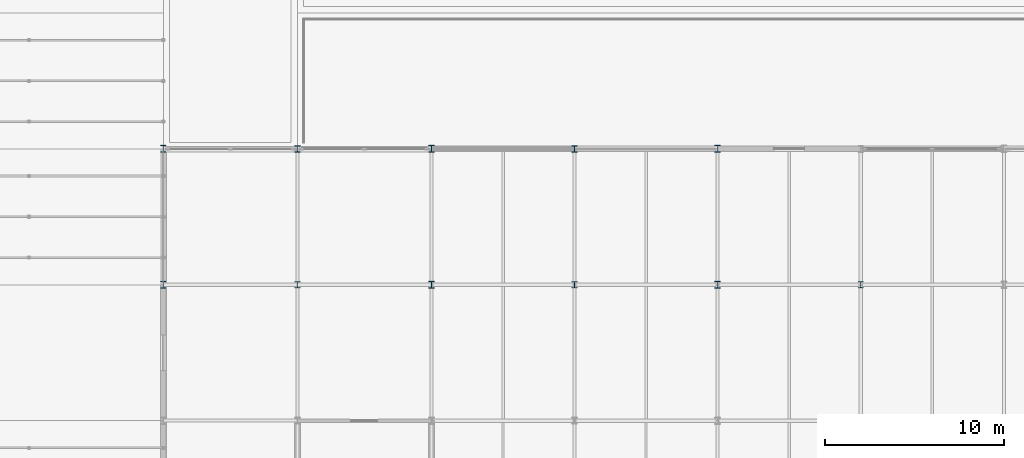
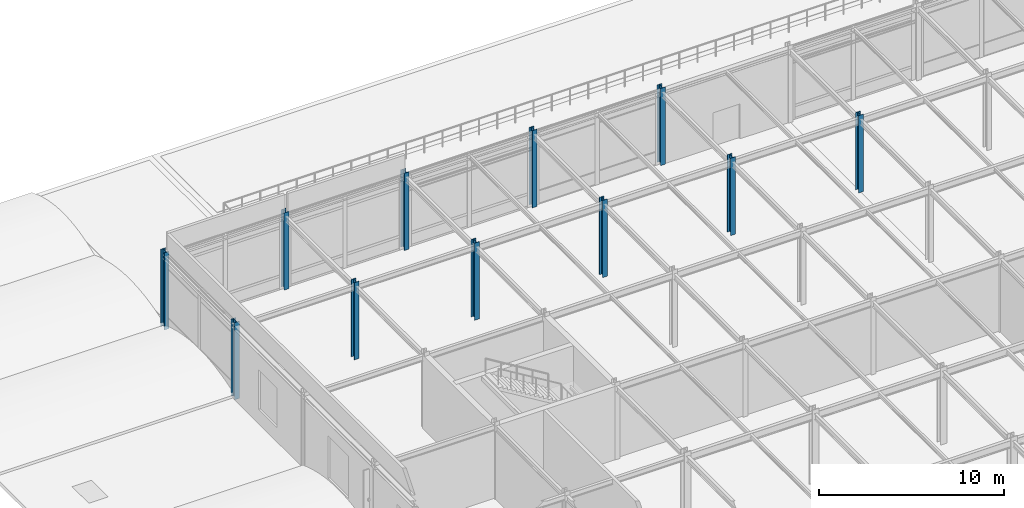
# One storey, part 9 of 79: 11 columns.
"""IFC4 building model written with IfcOpenShell, lengths in metres."""

from ifc_helpers import new_model, si_unit, direction, frame, origin, origin_2d, place, context, subcontext, project, spatial, i_section, extrude, material, material_profile, profile_set, type_object, element, save


model = new_model("IFC4")

# Units and contexts
model_context = context("Model", 3, precision=1e-05, world=origin(), true_north=direction((0.0, 1.0)))
body_context = subcontext(model_context, "Body", "Model", "MODEL_VIEW")
ifc_project = project(units=[si_unit("LENGTHUNIT", "METRE"), si_unit("AREAUNIT", "SQUARE_METRE"), si_unit("VOLUMEUNIT", "CUBIC_METRE"), si_unit("PLANEANGLEUNIT", "RADIAN"), si_unit("MASSUNIT", "GRAM", prefix="KILO")], contexts=[model_context])

# Site, building, storey
site_placement = place(None, origin())
site = spatial("IfcSite", under=ifc_project, at=site_placement, CompositionType="ELEMENT")
building_placement = place(site_placement, origin())
building = spatial("IfcBuilding", under=site, at=building_placement, Name="Shalkamar Park Central Library", CompositionType="ELEMENT")
storey_placement = place(building_placement, frame((0.0, 0.0, 10.5)))
storey = spatial("IfcBuildingStorey", under=building, at=storey_placement, Name="L03", CompositionType="ELEMENT", Elevation=10.5)

# Columns
ifc_material = material(Name="Steel S355", Category="steel")
ifc_material_profile_1 = material_profile(ifc_material, i_section(OverallWidth=0.300048828125, OverallDepth=0.360107421875, WebThickness=0.012451171875, FlangeThickness=0.0224609375, FilletRadius=0.027099609375, at=origin_2d()), Name="HEB 360")
ifc_profile_set_1 = profile_set([ifc_material_profile_1], Name="Steel S355")
column_type_1 = type_object("IfcColumnType", Name="Column Steel HEB360", PredefinedType="COLUMN", material=ifc_profile_set_1)
for number, where, z_axis, x_axis, name in (
    (1, (157.5, 316.0, 0.0), (0.0, 0.0, 1.0), (1.0, 0.0, 0.0), "Column 06/L (L03)"),
    (2, (157.5, 323.60009765625, 0.0), (0.0, 0.0, 1.0), (1.0, 0.0, 0.0), "Column 06/M (L03)"),
    (3, (173.0, 316.0, 0.0), (0.0, 0.0, 1.0), (1.0, 0.0, 0.0), "Column 08/L (L03)"),
    (4, (173.0, 323.60009765625, 0.0), (0.0, 0.0, 1.0), (1.0, 0.0, 0.0), "Column 08/M (L03)"),
    (5, (189.0, 316.0, 0.0), (0.0, 0.0, 1.0), (1.0, 0.0, 0.0), "Column 10/L (L03)"),
):
    element("IfcColumn", number, at=place(storey_placement, frame(where, z_axis=z_axis, x_axis=x_axis)), inside=storey, type_object=column_type_1, Name=name, PredefinedType="COLUMN", context=body_context, shape_type="SweptSolid", body=[
        extrude(i_section(OverallWidth=0.300048828125, OverallDepth=0.360107421875, WebThickness=0.012451171875, FlangeThickness=0.0224609375, FilletRadius=0.027099609375, at=origin_2d()), origin(), (0.0, 0.0, 1.0), 5.10009765625),
    ])
ifc_material_profile_2 = material_profile(ifc_material, i_section(OverallWidth=0.300048828125, OverallDepth=0.39990234375, WebThickness=0.013427734375, FlangeThickness=0.02392578125, FilletRadius=0.027099609375, at=origin_2d()), Name="HEB 400")
ifc_profile_set_2 = profile_set([ifc_material_profile_2], Name="Steel S355")
column_type_2 = type_object("IfcColumnType", Name="Column Steel HEB400", PredefinedType="COLUMN", material=ifc_profile_set_2)
for number, where, z_axis, x_axis, name in (
    (6, (150.0, 316.0, 0.0), (0.0, 0.0, 1.0), (1.0, 0.0, 0.0), "Column 05/L (L03)"),
    (7, (150.0, 323.60009765625, 0.0), (0.0, 0.0, 1.0), (1.0, 0.0, 0.0), "Column 05/M (L03)"),
    (8, (165.0, 316.0, 0.0), (0.0, 0.0, 1.0), (1.0, 0.0, 0.0), "Column 07/L (L03)"),
    (9, (165.0, 323.60009765625, 0.0), (0.0, 0.0, 1.0), (1.0, 0.0, 0.0), "Column 07/M (L03)"),
    (10, (181.0, 316.0, 0.0), (0.0, 0.0, 1.0), (1.0, 0.0, 0.0), "Column 09/L (L03)"),
    (11, (181.0, 323.60009765625, 0.0), (0.0, 0.0, 1.0), (1.0, 0.0, 0.0), "Column 09/M (L03)"),
):
    element("IfcColumn", number, at=place(storey_placement, frame(where, z_axis=z_axis, x_axis=x_axis)), inside=storey, type_object=column_type_2, Name=name, PredefinedType="COLUMN", context=body_context, shape_type="SweptSolid", body=[
        extrude(i_section(OverallWidth=0.300048828125, OverallDepth=0.39990234375, WebThickness=0.013427734375, FlangeThickness=0.02392578125, FilletRadius=0.027099609375, at=origin_2d()), origin(), (0.0, 0.0, 1.0), 5.10009765625),
    ])

save(model, "model.ifc")
